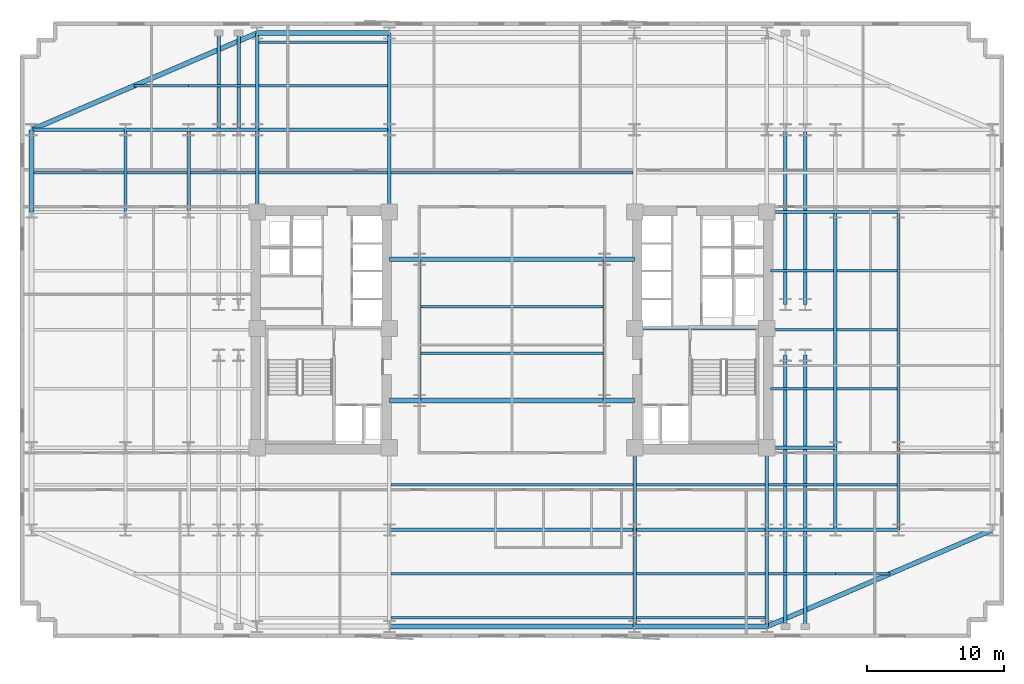
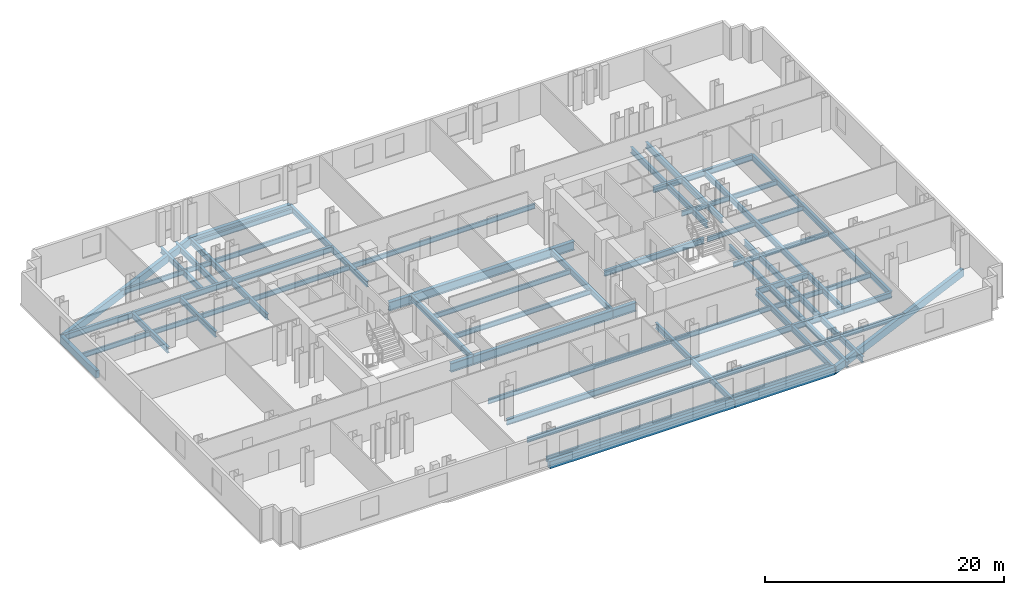
# One storey, part 2 of 10: 75 beams.
"""IFC4 building model written with IfcOpenShell, lengths in metres."""

import ifcopenshell
import ifcopenshell.guid

model = None  # the IFC model being written
_history = None  # IfcOwnerHistory: only IFC2X3 demands one
_inside = {}  # id of a spatial element -> (the spatial element, [elements in it])
_under = {}  # id of a project, library or spatial element -> (it, [spatial elements below it])
_declared = {}  # id of a project -> (the project, [libraries it declares])
_typed = {}  # id of a type object -> (the type object, [elements of that type])
_made_of = {}  # id of a material, layer set ... -> (it, [elements and type objects made of it])


def new_model(schema):
    """Start an empty IFC model of exactly this schema.

    Asked for "IFC4X3", IfcOpenShell would pick the latest addendum, in which some entities
    have other attributes; the version numbers below select the first issue.
    IFC2X3 requires an IfcOwnerHistory on every rooted entity: one is made here for all.
    """
    global model, _history
    if schema == "IFC4X3":
        model = ifcopenshell.file(schema_version=(4, 3, 0, 0))
    else:
        model = ifcopenshell.file(schema=schema)
    _inside.clear()
    _under.clear()
    _declared.clear()
    _typed.clear()
    _made_of.clear()
    _history = None
    if model.schema == "IFC2X3":
        org = make("IfcOrganization", Name="unknown")
        user = make(
            "IfcPersonAndOrganization",
            ThePerson=make("IfcPerson", FamilyName="unknown"),
            TheOrganization=org,
        )
        app = make(
            "IfcApplication",
            ApplicationDeveloper=org,
            Version="unknown",
            ApplicationFullName="unknown",
            ApplicationIdentifier="unknown",
        )
        _history = make(
            "IfcOwnerHistory",
            OwningUser=user,
            OwningApplication=app,
            ChangeAction="ADDED",
            CreationDate=0,
        )
    return model


def make(cls, **values):
    """One entity of the class cls with the attributes given. An attribute that is None is left unset."""
    return model.create_entity(
        cls, **{name: value for name, value in values.items() if value is not None}
    )


def rooted(cls, **values):
    """An entity with a GlobalId (a new one), such as an element, a storey or a relation."""
    return make(cls, GlobalId=ifcopenshell.guid.new(), OwnerHistory=_history, **values)


def si_unit(unit_type, name, prefix=None):
    """IfcSIUnit, for example si_unit("LENGTHUNIT", "METRE", prefix="MILLI")."""
    return make("IfcSIUnit", UnitType=unit_type, Prefix=prefix, Name=name)


def assignment(units):
    """IfcUnitAssignment: the units of a project."""
    return None if units is None else make("IfcUnitAssignment", Units=units)


def point(xyz):
    """IfcCartesianPoint."""
    return None if xyz is None else make("IfcCartesianPoint", Coordinates=xyz)


def direction(xyz):
    """IfcDirection."""
    return None if xyz is None else make("IfcDirection", DirectionRatios=xyz)


def frame(location, z_axis=None, x_axis=None):
    """IfcAxis2Placement3D, a coordinate frame: its origin and axes. An axis left out is left unset."""
    return make(
        "IfcAxis2Placement3D",
        Location=point(location),
        Axis=direction(z_axis),
        RefDirection=direction(x_axis),
    )


def frame_2d(location, x_axis=None):
    """IfcAxis2Placement2D, a coordinate frame in the plane: its origin and x axis."""
    return make(
        "IfcAxis2Placement2D", Location=point(location), RefDirection=direction(x_axis)
    )


def origin():
    """The frame at (0, 0, 0) with its axes left unset."""
    return frame((0.0, 0.0, 0.0))


def origin_2d():
    """The frame at (0, 0) in the plane with its x axis left unset."""
    return frame_2d((0.0, 0.0))


def place(relative_to, where):
    """IfcLocalPlacement: puts the frame where relative to a parent placement (None: the world)."""
    return make(
        "IfcLocalPlacement", PlacementRelTo=relative_to, RelativePlacement=where
    )


def context(
    kind, dimensions, precision=None, world=None, true_north=None, identifier=None
):
    """IfcGeometricRepresentationContext, for example the 3D "Model" context."""
    return make(
        "IfcGeometricRepresentationContext",
        ContextIdentifier=identifier,
        ContextType=kind,
        CoordinateSpaceDimension=dimensions,
        Precision=precision,
        WorldCoordinateSystem=world,
        TrueNorth=true_north,
    )


def subcontext(parent, identifier, kind, view, scale=None):
    """IfcGeometricRepresentationSubContext, for example "Body" below "Model"."""
    return make(
        "IfcGeometricRepresentationSubContext",
        ContextIdentifier=identifier,
        ContextType=kind,
        ParentContext=parent,
        TargetScale=scale,
        TargetView=view,
    )


def project(units=None, contexts=None):
    """IfcProject with its units and contexts."""
    return rooted(
        "IfcProject",
        Name="project",
        RepresentationContexts=contexts,
        UnitsInContext=assignment(units),
    )


def spatial(cls, under=None, at=None, **own):
    """A site, building, storey or space (cls), placed at a placement, below another one or the project."""
    s = rooted(cls, ObjectPlacement=at, **own)
    if under is not None:
        _under.setdefault(under.id(), (under, []))[1].append(s)
    return s


def profile(cls, at=None, kind="AREA", **sizes):
    """A parametric profile (cls). Its sizes go by their IFC names, for example OverallWidth=200.0."""
    return make(cls, ProfileType=kind, Position=at, **sizes)


def rectangle(**sizes):
    """IfcRectangleProfileDef."""
    return profile("IfcRectangleProfileDef", **sizes)


def i_section(**sizes):
    """IfcIShapeProfileDef."""
    return profile("IfcIShapeProfileDef", **sizes)


def extrude(swept, where, along, depth):
    """IfcExtrudedAreaSolid: the profile swept, set in the frame where, extruded along a direction by depth."""
    return make(
        "IfcExtrudedAreaSolid",
        SweptArea=swept,
        Position=where,
        ExtrudedDirection=direction(along),
        Depth=depth,
    )


def shape(context_of_items, identifier, shape_type, items):
    """IfcShapeRepresentation: the items that make up one representation, for example the "Body"."""
    return make(
        "IfcShapeRepresentation",
        ContextOfItems=context_of_items,
        RepresentationIdentifier=identifier,
        RepresentationType=shape_type,
        Items=items,
    )


def material(Name=None, Category=None):
    """IfcMaterial."""
    return make("IfcMaterial", Name=Name, Category=Category)


def material_profile(
    of_material, cross_section, Name=None, Category=None, Priority=None
):
    """IfcMaterialProfile: a cross section and its material."""
    return make(
        "IfcMaterialProfile",
        Name=Name,
        Material=of_material,
        Profile=cross_section,
        Priority=Priority,
        Category=Category,
    )


def profile_set(profiles, Name=None, composite=None):
    """IfcMaterialProfileSet."""
    return make(
        "IfcMaterialProfileSet",
        Name=Name,
        MaterialProfiles=profiles,
        CompositeProfile=composite,
    )


def made_of(thing, what):
    """Note that an element or type object is made of a material, layer set ...; save() writes the relation."""
    if what is not None:
        _made_of.setdefault(what.id(), (what, []))[1].append(thing)
    return thing


def type_object(cls, material=None, **own):
    """A type object (cls), such as IfcWallType, which elements share."""
    return made_of(rooted(cls, **own), material)


def element(
    cls,
    number,
    at=None,
    inside=None,
    cuts=None,
    type_object=None,
    material=None,
    context=None,
    identifier="Body",
    shape_type=None,
    held_by="IfcProductDefinitionShape",
    body=None,
    shapes=None,
    **own,
):
    """One element of the class cls, such as IfcWall. Its Tag is "e" and its number.

    at: its placement. inside: the storey or other place that contains it. cuts: it is an
    opening in that element (IfcRelVoidsElement). A single representation is given by context,
    identifier, shape_type and body (its items); several are given by shapes. held_by: the class
    of the entity that holds the representations. save() writes the other relations.
    """
    e = rooted(cls, Tag="e%d" % number, ObjectPlacement=at, **own)
    if body is not None:
        shapes = [shape(context, identifier, shape_type, body)]
    if shapes is not None:
        e.Representation = make(held_by, Representations=shapes)
    if inside is not None:
        _inside.setdefault(inside.id(), (inside, []))[1].append(e)
    if cuts is not None:
        rooted(
            "IfcRelVoidsElement", RelatingBuildingElement=cuts, RelatedOpeningElement=e
        )
    if type_object is not None:
        _typed.setdefault(type_object.id(), (type_object, []))[1].append(e)
    return made_of(e, material)


def aggregate(whole, parts):
    """IfcRelAggregates: a whole, such as a stair, and the parts it consists of."""
    return rooted("IfcRelAggregates", RelatingObject=whole, RelatedObjects=parts)


def save(model, path):
    """Write the relations noted so far, then the file.

    IfcRelAggregates (storeys below a building ...), IfcRelContainedInSpatialStructure (elements
    in a storey), IfcRelDefinesByType, IfcRelAssociatesMaterial and IfcRelDeclares: one each for
    every whole, place, type object, material and project.
    """
    for whole, parts in _under.values():
        aggregate(whole, parts)
    for where, things in _inside.values():
        rooted(
            "IfcRelContainedInSpatialStructure",
            RelatedElements=things,
            RelatingStructure=where,
        )
    for kind, things in _typed.values():
        rooted("IfcRelDefinesByType", RelatedObjects=things, RelatingType=kind)
    for what, things in _made_of.values():
        rooted("IfcRelAssociatesMaterial", RelatedObjects=things, RelatingMaterial=what)
    for by, libraries in _declared.values():
        rooted("IfcRelDeclares", RelatingContext=by, RelatedDefinitions=libraries)
    model.write(path)


model = new_model("IFC4")

# Units and contexts
model_context = context("Model", 3, precision=1e-05, world=origin(), true_north=direction((0.0, 1.0)))
body_context = subcontext(model_context, "Body", "Model", "MODEL_VIEW")
ifc_project = project(units=[si_unit("LENGTHUNIT", "METRE"), si_unit("AREAUNIT", "SQUARE_METRE"), si_unit("VOLUMEUNIT", "CUBIC_METRE"), si_unit("PLANEANGLEUNIT", "RADIAN"), si_unit("MASSUNIT", "GRAM", prefix="KILO")], contexts=[model_context])

# Site, building, storey
site_placement = place(None, origin())
site = spatial("IfcSite", under=ifc_project, at=site_placement, CompositionType="ELEMENT")
building_placement = place(site_placement, origin())
building = spatial("IfcBuilding", under=site, at=building_placement, Name="Velakula Bourse", CompositionType="ELEMENT")
storey_placement = place(building_placement, frame((0.0, 0.0, 62.25)))
storey = spatial("IfcBuildingStorey", under=building, at=storey_placement, Name="L16", CompositionType="ELEMENT", Elevation=62.25)

# Beams
ifc_material_1 = material(Name="Steel IS 2062 Grade 350 (E350)", Category="steel")
ifc_material_profile_1 = material_profile(ifc_material_1, i_section(OverallWidth=0.25, OverallDepth=0.60009765625, WebThickness=0.01171875, FlangeThickness=0.023681640625, at=origin_2d()), Name="Steel IS 2062 Grade 350 (E350)")
ifc_profile_set_1 = profile_set([ifc_material_profile_1], Name="Steel IS 2062 Grade 350 (E350)")
beam_type_1 = type_object("IfcBeamType", Name="BM-GRD-600H", PredefinedType="BEAM", material=ifc_profile_set_1)
beam_1_placement = place(storey_placement, frame((8.949951171875, 0.10009765625, -0.47998046875), z_axis=(1.0, 0.0, 0.0), x_axis=(0.0, 1.0, 0.0)))
element("IfcBeam", 1, at=beam_1_placement, inside=storey, type_object=beam_type_1, Name="L16 Primary Backbone Girder CRE-M", PredefinedType="BEAM", context=body_context, shape_type="SweptSolid", body=[
    extrude(i_section(OverallWidth=0.25, OverallDepth=0.60009765625, WebThickness=0.01171875, FlangeThickness=0.023681640625, at=origin_2d()), origin(), (0.0, 0.0, 1.0), 9.650146484375),
])
for number, where, z_axis, x_axis, name in (
    (2, (-6.75, -5.14990234375, -0.47998046875), (0.0, 1.0, 0.0), (-1.0, 0.0, 0.0), "L16 Primary Backbone Girder SPN-W"),
    (3, (6.75, -5.14990234375, -0.47998046875), (0.0, 1.0, 0.0), (-1.0, 0.0, 0.0), "L16 Primary Backbone Girder SPN-E"),
):
    element("IfcBeam", number, at=place(storey_placement, frame(where, z_axis=z_axis, x_axis=x_axis)), inside=storey, type_object=beam_type_1, Name=name, PredefinedType="BEAM", context=body_context, shape_type="SweptSolid", body=[
        extrude(i_section(OverallWidth=0.25, OverallDepth=0.60009765625, WebThickness=0.01171875, FlangeThickness=0.023681640625, at=origin_2d()), origin(), (0.0, 0.0, 1.0), 10.2998046875),
    ])
for number, where, z_axis, x_axis, name in (
    (4, (-18.60009765625, 8.60009765625, -0.47998046875), (0.0, 1.0, 0.0), (-1.0, 0.0, 0.0), "L16 Fulcrum Grid Girder FLC-WN"),
    (5, (-8.949951171875, 8.60009765625, -0.47998046875), (0.0, 1.0, 0.0), (-1.0, 0.0, 0.0), "L16 Fulcrum Grid Girder FLC-WCN"),
    (6, (8.949951171875, -14.60009765625, -0.47998046875), (0.0, 1.0, 0.0), (-1.0, 0.0, 0.0), "L16 Fulcrum Grid Girder FLC-ECS"),
    (7, (18.60009765625, -14.60009765625, -0.47998046875), (0.0, 1.0, 0.0), (-1.0, 0.0, 0.0), "L16 Fulcrum Grid Girder FLC-ES"),
):
    element("IfcBeam", number, at=place(storey_placement, frame(where, z_axis=z_axis, x_axis=x_axis)), inside=storey, type_object=beam_type_1, Name=name, PredefinedType="BEAM", context=body_context, shape_type="SweptSolid", body=[
        extrude(i_section(OverallWidth=0.25, OverallDepth=0.60009765625, WebThickness=0.01171875, FlangeThickness=0.023681640625, at=origin_2d()), origin(), (0.0, 0.0, 1.0), 6.0),
    ])
beam_2_placement = place(storey_placement, frame((-8.949951171875, -14.60009765625, -0.47998046875), z_axis=(1.0, 0.0, 0.0), x_axis=(0.0, 1.0, 0.0)))
element("IfcBeam", 8, at=beam_2_placement, inside=storey, type_object=beam_type_1, Name="L16 Fulcrum Grid Girder FLC-S2", PredefinedType="BEAM", context=body_context, shape_type="SweptSolid", body=[
    extrude(i_section(OverallWidth=0.25, OverallDepth=0.60009765625, WebThickness=0.01171875, FlangeThickness=0.023681640625, at=origin_2d()), origin(), (0.0, 0.0, 1.0), 17.89990234375),
])
for number, where, z_axis, x_axis, name in (
    (9, (8.949951171875, -14.60009765625, -0.47998046875), (1.0, 0.0, 0.0), (0.0, 1.0, 0.0), "L16 Fulcrum Grid Girder FLC-S3"),
    (10, (-18.60009765625, 14.60009765625, -0.47998046875), (1.0, 0.0, 0.0), (0.0, 1.0, 0.0), "L16 Fulcrum Grid Girder FLC-N1"),
):
    element("IfcBeam", number, at=place(storey_placement, frame(where, z_axis=z_axis, x_axis=x_axis)), inside=storey, type_object=beam_type_1, Name=name, PredefinedType="BEAM", context=body_context, shape_type="SweptSolid", body=[
        extrude(i_section(OverallWidth=0.25, OverallDepth=0.60009765625, WebThickness=0.01171875, FlangeThickness=0.023681640625, at=origin_2d()), origin(), (0.0, 0.0, 1.0), 9.650146484375),
    ])
for number, where, z_axis, x_axis, name in (
    (11, (19.949951171875, -14.60009765625, -0.47998046875), (0.0, 1.0, 0.0), (-1.0, 0.0, 0.0), "L16 Fulcrum Grid Girder FLC-PSE1"),
    (12, (19.949951171875, 1.85009765625, -0.47998046875), (0.0, 1.0, 0.0), (-1.0, 0.0, 0.0), "L16 Fulcrum Grid Girder FLC-PNE1"),
    (13, (21.39990234375, -14.60009765625, -0.47998046875), (0.0, 1.0, 0.0), (-1.0, 0.0, 0.0), "L16 Fulcrum Grid Girder FLC-PSE2"),
    (14, (21.39990234375, 1.85009765625, -0.47998046875), (0.0, 1.0, 0.0), (-1.0, 0.0, 0.0), "L16 Fulcrum Grid Girder FLC-PNE2"),
):
    element("IfcBeam", number, at=place(storey_placement, frame(where, z_axis=z_axis, x_axis=x_axis)), inside=storey, type_object=beam_type_1, Name=name, PredefinedType="BEAM", context=body_context, shape_type="SweptSolid", body=[
        extrude(i_section(OverallWidth=0.25, OverallDepth=0.60009765625, WebThickness=0.01171875, FlangeThickness=0.023681640625, at=origin_2d()), origin(), (0.0, 0.0, 1.0), 12.75),
    ])
beam_3_placement = place(storey_placement, frame((-23.60009765625, 14.60009765625, -0.47998046875), z_axis=(1.0, 0.0, 0.0), x_axis=(0.0, 1.0, 0.0)))
element("IfcBeam", 15, at=beam_3_placement, inside=storey, type_object=beam_type_1, Name="L16 Fulcrum Grid Girder MWG-WN2", PredefinedType="BEAM", context=body_context, shape_type="SweptSolid", body=[
    extrude(i_section(OverallWidth=0.25, OverallDepth=0.60009765625, WebThickness=0.01171875, FlangeThickness=0.023681640625, at=origin_2d()), origin(), (0.0, 0.0, 1.0), 5.0),
])
beam_4_placement = place(storey_placement, frame((-23.60009765625, 8.60009765625, -0.47998046875), z_axis=(0.0, 1.0, 0.0), x_axis=(-1.0, 0.0, 0.0)))
element("IfcBeam", 16, at=beam_4_placement, inside=storey, type_object=beam_type_1, Name="L16 Fulcrum Grid Girder MWG-WNS3", PredefinedType="BEAM", context=body_context, shape_type="SweptSolid", body=[
    extrude(i_section(OverallWidth=0.25, OverallDepth=0.60009765625, WebThickness=0.01171875, FlangeThickness=0.023681640625, at=origin_2d()), origin(), (0.0, 0.0, 1.0), 6.0),
])
for number, where, z_axis, x_axis, name in (
    (17, (18.60009765625, -14.60009765625, -0.47998046875), (1.0, 0.0, 0.0), (0.0, 1.0, 0.0), "L16 Fulcrum Grid Girder MWG-ES1"),
    (18, (18.60009765625, -8.60009765625, -0.47998046875), (1.0, 0.0, 0.0), (0.0, 1.0, 0.0), "L16 Fulcrum Grid Girder MWG-ES2"),
    (19, (18.60009765625, 8.60009765625, -0.47998046875), (1.0, 0.0, 0.0), (0.0, 1.0, 0.0), "L16 Fulcrum Grid Girder MWG-EN1"),
):
    element("IfcBeam", number, at=place(storey_placement, frame(where, z_axis=z_axis, x_axis=x_axis)), inside=storey, type_object=beam_type_1, Name=name, PredefinedType="BEAM", context=body_context, shape_type="SweptSolid", body=[
        extrude(i_section(OverallWidth=0.25, OverallDepth=0.60009765625, WebThickness=0.01171875, FlangeThickness=0.023681640625, at=origin_2d()), origin(), (0.0, 0.0, 1.0), 5.0),
    ])
beam_5_placement = place(storey_placement, frame((23.60009765625, -14.60009765625, -0.47998046875), z_axis=(0.0, 1.0, 0.0), x_axis=(-1.0, 0.0, 0.0)))
element("IfcBeam", 20, at=beam_5_placement, inside=storey, type_object=beam_type_1, Name="L16 Fulcrum Grid Girder MWG-ENS1", PredefinedType="BEAM", context=body_context, shape_type="SweptSolid", body=[
    extrude(i_section(OverallWidth=0.25, OverallDepth=0.60009765625, WebThickness=0.01171875, FlangeThickness=0.023681640625, at=origin_2d()), origin(), (0.0, 0.0, 1.0), 6.0),
])
beam_6_placement = place(storey_placement, frame((23.60009765625, -8.60009765625, -0.47998046875), z_axis=(0.0, 1.0, 0.0), x_axis=(-1.0, 0.0, 0.0)))
element("IfcBeam", 21, at=beam_6_placement, inside=storey, type_object=beam_type_1, Name="L16 Fulcrum Grid Girder MWG-ENS2", PredefinedType="BEAM", context=body_context, shape_type="SweptSolid", body=[
    extrude(i_section(OverallWidth=0.25, OverallDepth=0.60009765625, WebThickness=0.01171875, FlangeThickness=0.023681640625, at=origin_2d()), origin(), (0.0, 0.0, 1.0), 17.2001953125),
])
beam_7_placement = place(storey_placement, frame((-28.199951171875, 14.60009765625, -0.47998046875), z_axis=(1.0, 0.0, 0.0), x_axis=(0.0, 1.0, 0.0)))
element("IfcBeam", 22, at=beam_7_placement, inside=storey, type_object=beam_type_1, Name="L16 Fulcrum Grid Girder WNG-WN2", PredefinedType="BEAM", context=body_context, shape_type="SweptSolid", body=[
    extrude(i_section(OverallWidth=0.25, OverallDepth=0.60009765625, WebThickness=0.01171875, FlangeThickness=0.023681640625, at=origin_2d()), origin(), (0.0, 0.0, 1.0), 4.599853515625),
])
beam_8_placement = place(storey_placement, frame((-28.199951171875, 8.60009765625, -0.47998046875), z_axis=(0.0, 1.0, 0.0), x_axis=(-1.0, 0.0, 0.0)))
element("IfcBeam", 23, at=beam_8_placement, inside=storey, type_object=beam_type_1, Name="L16 Fulcrum Grid Girder WNG-WNS3", PredefinedType="BEAM", context=body_context, shape_type="SweptSolid", body=[
    extrude(i_section(OverallWidth=0.25, OverallDepth=0.60009765625, WebThickness=0.01171875, FlangeThickness=0.023681640625, at=origin_2d()), origin(), (0.0, 0.0, 1.0), 6.0),
])
for number, where, z_axis, x_axis, name in (
    (24, (23.60009765625, -14.60009765625, -0.47998046875), (1.0, 0.0, 0.0), (0.0, 1.0, 0.0), "L16 Fulcrum Grid Girder WNG-ES1"),
    (25, (23.60009765625, 8.60009765625, -0.47998046875), (1.0, 0.0, 0.0), (0.0, 1.0, 0.0), "L16 Fulcrum Grid Girder WNG-EN1"),
):
    element("IfcBeam", number, at=place(storey_placement, frame(where, z_axis=z_axis, x_axis=x_axis)), inside=storey, type_object=beam_type_1, Name=name, PredefinedType="BEAM", context=body_context, shape_type="SweptSolid", body=[
        extrude(i_section(OverallWidth=0.25, OverallDepth=0.60009765625, WebThickness=0.01171875, FlangeThickness=0.023681640625, at=origin_2d()), origin(), (0.0, 0.0, 1.0), 4.599853515625),
    ])
beam_9_placement = place(storey_placement, frame((28.199951171875, -14.60009765625, -0.47998046875), z_axis=(0.0, 1.0, 0.0), x_axis=(-1.0, 0.0, 0.0)))
element("IfcBeam", 26, at=beam_9_placement, inside=storey, type_object=beam_type_1, Name="L16 Fulcrum Grid Girder WNG-ENS1", PredefinedType="BEAM", context=body_context, shape_type="SweptSolid", body=[
    extrude(i_section(OverallWidth=0.25, OverallDepth=0.60009765625, WebThickness=0.01171875, FlangeThickness=0.023681640625, at=origin_2d()), origin(), (0.0, 0.0, 1.0), 6.0),
])
beam_10_placement = place(storey_placement, frame((28.199951171875, -8.60009765625, -0.47998046875), z_axis=(0.0, 1.0, 0.0), x_axis=(-1.0, 0.0, 0.0)))
element("IfcBeam", 27, at=beam_10_placement, inside=storey, type_object=beam_type_1, Name="L16 Fulcrum Grid Girder WNG-ENS2", PredefinedType="BEAM", context=body_context, shape_type="SweptSolid", body=[
    extrude(i_section(OverallWidth=0.25, OverallDepth=0.60009765625, WebThickness=0.01171875, FlangeThickness=0.023681640625, at=origin_2d()), origin(), (0.0, 0.0, 1.0), 17.2001953125),
])
for number, where, z_axis, x_axis, name in (
    (28, (8.949951171875, -14.60009765625, -0.47998046875), (0.0, -1.0, 0.0), (1.0, 0.0, 0.0), "L16 Perimeter Tie Girder S3"),
    (29, (18.60009765625, -14.60009765625, -0.47998046875), (0.0, -1.0, 0.0), (1.0, 0.0, 0.0), "L16 Perimeter Tie Girder S4"),
    (30, (-18.60009765625, 14.60009765625, -0.47998046875), (0.0, 1.0, 0.0), (-1.0, 0.0, 0.0), "L16 Perimeter Tie Girder N1"),
    (31, (-8.949951171875, 14.60009765625, -0.47998046875), (0.0, 1.0, 0.0), (-1.0, 0.0, 0.0), "L16 Perimeter Tie Girder N2"),
):
    element("IfcBeam", number, at=place(storey_placement, frame(where, z_axis=z_axis, x_axis=x_axis)), inside=storey, type_object=beam_type_1, Name=name, PredefinedType="BEAM", context=body_context, shape_type="SweptSolid", body=[
        extrude(i_section(OverallWidth=0.25, OverallDepth=0.60009765625, WebThickness=0.01171875, FlangeThickness=0.023681640625, at=origin_2d()), origin(), (0.0, 0.0, 1.0), 7.0498046875),
    ])
beam_11_placement = place(storey_placement, frame((-28.199951171875, 14.60009765625, -0.47998046875), z_axis=(-1.0, 0.0, 0.0), x_axis=(0.0, -1.0, 0.0)))
element("IfcBeam", 32, at=beam_11_placement, inside=storey, type_object=beam_type_1, Name="L16 Perimeter Tie Girder W4", PredefinedType="BEAM", context=body_context, shape_type="SweptSolid", body=[
    extrude(i_section(OverallWidth=0.25, OverallDepth=0.60009765625, WebThickness=0.01171875, FlangeThickness=0.023681640625, at=origin_2d()), origin(), (0.0, 0.0, 1.0), 6.85009765625),
])
for number, where, z_axis, x_axis, name in (
    (33, (19.949951171875, -14.60009765625, -0.47998046875), (0.0, -1.0, 0.0), (1.0, 0.0, 0.0), "L16 Perimeter Tie Girder P03"),
    (34, (21.39990234375, -14.60009765625, -0.47998046875), (0.0, -1.0, 0.0), (1.0, 0.0, 0.0), "L16 Perimeter Tie Girder P04"),
    (35, (-21.39990234375, 14.60009765625, -0.47998046875), (0.0, 1.0, 0.0), (-1.0, 0.0, 0.0), "L16 Perimeter Tie Girder P05"),
    (36, (-19.949951171875, 14.60009765625, -0.47998046875), (0.0, 1.0, 0.0), (-1.0, 0.0, 0.0), "L16 Perimeter Tie Girder P06"),
):
    element("IfcBeam", number, at=place(storey_placement, frame(where, z_axis=z_axis, x_axis=x_axis)), inside=storey, type_object=beam_type_1, Name=name, PredefinedType="BEAM", context=body_context, shape_type="SweptSolid", body=[
        extrude(i_section(OverallWidth=0.25, OverallDepth=0.60009765625, WebThickness=0.01171875, FlangeThickness=0.023681640625, at=origin_2d()), origin(), (0.0, 0.0, 1.0), 7.0498046875),
    ])
ifc_material_profile_2 = material_profile(ifc_material_1, i_section(OverallWidth=0.35009765625, OverallDepth=0.89990234375, WebThickness=0.02001953125, FlangeThickness=0.031982421875, at=origin_2d()), Name="Steel IS 2062 Grade 350 (E350)")
ifc_profile_set_2 = profile_set([ifc_material_profile_2], Name="Steel IS 2062 Grade 350 (E350)")
beam_type_2 = type_object("IfcBeamType", Name="BM-LNK-900", PredefinedType="BEAM", material=ifc_profile_set_2)
beam_12_placement = place(storey_placement, frame((-8.949951171875, -5.14990234375, -0.6298828125), z_axis=(1.0, 0.0, 0.0), x_axis=(0.0, 1.0, 0.0)))
element("IfcBeam", 37, at=beam_12_placement, inside=storey, type_object=beam_type_2, Name="L16 Primary Backbone Girder LNK-S1", PredefinedType="BEAM", context=body_context, shape_type="SweptSolid", body=[
    extrude(i_section(OverallWidth=0.35009765625, OverallDepth=0.89990234375, WebThickness=0.02001953125, FlangeThickness=0.031982421875, at=origin_2d()), origin(), (0.0, 0.0, 1.0), 2.199951171875),
])
beam_13_placement = place(storey_placement, frame((-6.75, -5.14990234375, -0.6298828125), z_axis=(1.0, 0.0, 0.0), x_axis=(0.0, 1.0, 0.0)))
element("IfcBeam", 38, at=beam_13_placement, inside=storey, type_object=beam_type_2, Name="L16 Primary Backbone Girder LNK-S2", PredefinedType="BEAM", context=body_context, shape_type="SweptSolid", body=[
    extrude(i_section(OverallWidth=0.35009765625, OverallDepth=0.89990234375, WebThickness=0.02001953125, FlangeThickness=0.031982421875, at=origin_2d()), origin(), (0.0, 0.0, 1.0), 13.5),
])
for number, where, z_axis, x_axis, name in (
    (39, (6.75, -5.14990234375, -0.6298828125), (1.0, 0.0, 0.0), (0.0, 1.0, 0.0), "L16 Primary Backbone Girder LNK-S3"),
    (40, (-8.949951171875, 5.14990234375, -0.6298828125), (1.0, 0.0, 0.0), (0.0, 1.0, 0.0), "L16 Primary Backbone Girder LNK-N1"),
):
    element("IfcBeam", number, at=place(storey_placement, frame(where, z_axis=z_axis, x_axis=x_axis)), inside=storey, type_object=beam_type_2, Name=name, PredefinedType="BEAM", context=body_context, shape_type="SweptSolid", body=[
        extrude(i_section(OverallWidth=0.35009765625, OverallDepth=0.89990234375, WebThickness=0.02001953125, FlangeThickness=0.031982421875, at=origin_2d()), origin(), (0.0, 0.0, 1.0), 2.199951171875),
    ])
beam_14_placement = place(storey_placement, frame((-6.75, 5.14990234375, -0.6298828125), z_axis=(1.0, 0.0, 0.0), x_axis=(0.0, 1.0, 0.0)))
element("IfcBeam", 41, at=beam_14_placement, inside=storey, type_object=beam_type_2, Name="L16 Primary Backbone Girder LNK-N2", PredefinedType="BEAM", context=body_context, shape_type="SweptSolid", body=[
    extrude(i_section(OverallWidth=0.35009765625, OverallDepth=0.89990234375, WebThickness=0.02001953125, FlangeThickness=0.031982421875, at=origin_2d()), origin(), (0.0, 0.0, 1.0), 13.5),
])
beam_15_placement = place(storey_placement, frame((6.75, 5.14990234375, -0.6298828125), z_axis=(1.0, 0.0, 0.0), x_axis=(0.0, 1.0, 0.0)))
element("IfcBeam", 42, at=beam_15_placement, inside=storey, type_object=beam_type_2, Name="L16 Primary Backbone Girder LNK-N3", PredefinedType="BEAM", context=body_context, shape_type="SweptSolid", body=[
    extrude(i_section(OverallWidth=0.35009765625, OverallDepth=0.89990234375, WebThickness=0.02001953125, FlangeThickness=0.031982421875, at=origin_2d()), origin(), (0.0, 0.0, 1.0), 2.199951171875),
])
ifc_material_profile_3 = material_profile(ifc_material_1, i_section(OverallWidth=0.179931640625, OverallDepth=0.5, WebThickness=0.01025390625, FlangeThickness=0.01708984375, at=origin_2d()), Name="Steel IS 2062 Grade 350 (E350)")
ifc_profile_set_3 = profile_set([ifc_material_profile_3], Name="Steel IS 2062 Grade 350 (E350)")
beam_type_3 = type_object("IfcBeamType", Name="JST-TWR-500", PredefinedType="JOIST", material=ifc_profile_set_3)
beam_16_placement = place(storey_placement, frame((-8.824951171875, -21.0, -0.429931640625), z_axis=(1.0, 0.0, 0.0), x_axis=(0.0, 1.0, 0.0)))
element("IfcBeam", 43, at=beam_16_placement, inside=storey, type_object=beam_type_3, Name="L16 Trading Floor Composite Joist 02", PredefinedType="JOIST", context=body_context, shape_type="SweptSolid", body=[
    extrude(i_section(OverallWidth=0.179931640625, OverallDepth=0.5, WebThickness=0.01025390625, FlangeThickness=0.01708984375, at=origin_2d()), origin(), (0.0, 0.0, 1.0), 17.64990234375),
])
beam_17_placement = place(storey_placement, frame((9.074951171875, -21.0, -0.429931640625), z_axis=(1.0, 0.0, 0.0), x_axis=(0.0, 1.0, 0.0)))
element("IfcBeam", 44, at=beam_17_placement, inside=storey, type_object=beam_type_3, Name="L16 Trading Floor Composite Joist 03", PredefinedType="JOIST", context=body_context, shape_type="SweptSolid", body=[
    extrude(i_section(OverallWidth=0.179931640625, OverallDepth=0.5, WebThickness=0.01025390625, FlangeThickness=0.01708984375, at=origin_2d()), origin(), (0.0, 0.0, 1.0), 9.400146484375),
])
beam_18_placement = place(storey_placement, frame((-8.824951171875, -17.800048828125, -0.429931640625), z_axis=(1.0, 0.0, 0.0), x_axis=(0.0, 1.0, 0.0)))
element("IfcBeam", 45, at=beam_18_placement, inside=storey, type_object=beam_type_3, Name="L16 Trading Floor Composite Joist 07", PredefinedType="JOIST", context=body_context, shape_type="SweptSolid", body=[
    extrude(i_section(OverallWidth=0.179931640625, OverallDepth=0.5, WebThickness=0.01025390625, FlangeThickness=0.01708984375, at=origin_2d()), origin(), (0.0, 0.0, 1.0), 17.64990234375),
])
beam_19_placement = place(storey_placement, frame((9.074951171875, -17.800048828125, -0.429931640625), z_axis=(1.0, 0.0, 0.0), x_axis=(0.0, 1.0, 0.0)))
element("IfcBeam", 46, at=beam_19_placement, inside=storey, type_object=beam_type_3, Name="L16 Trading Floor Composite Joist 08", PredefinedType="JOIST", context=body_context, shape_type="SweptSolid", body=[
    extrude(i_section(OverallWidth=0.179931640625, OverallDepth=0.5, WebThickness=0.01025390625, FlangeThickness=0.01708984375, at=origin_2d()), origin(), (0.0, 0.0, 1.0), 9.400146484375),
])
beam_20_placement = place(storey_placement, frame((18.72509765625, -17.800048828125, -0.429931640625), z_axis=(1.0, 0.0, 0.0), x_axis=(0.0, 1.0, 0.0)))
element("IfcBeam", 47, at=beam_20_placement, inside=storey, type_object=beam_type_3, Name="L16 Trading Floor Composite Joist 09", PredefinedType="JOIST", context=body_context, shape_type="SweptSolid", body=[
    extrude(i_section(OverallWidth=0.179931640625, OverallDepth=0.5, WebThickness=0.01025390625, FlangeThickness=0.01708984375, at=origin_2d()), origin(), (0.0, 0.0, 1.0), 4.875),
])
beam_21_placement = place(storey_placement, frame((23.60009765625, -17.800048828125, -0.429931640625), z_axis=(1.0, 0.0, 0.0), x_axis=(0.0, 1.0, 0.0)))
element("IfcBeam", 48, at=beam_21_placement, inside=storey, type_object=beam_type_3, Name="L16 Trading Floor Composite Joist 10", PredefinedType="JOIST", context=body_context, shape_type="SweptSolid", body=[
    extrude(i_section(OverallWidth=0.179931640625, OverallDepth=0.5, WebThickness=0.01025390625, FlangeThickness=0.01708984375, at=origin_2d()), origin(), (0.0, 0.0, 1.0), 3.983154296875),
])
beam_22_placement = place(storey_placement, frame((-8.824951171875, -11.300048828125, -0.429931640625), z_axis=(1.0, 0.0, 0.0), x_axis=(0.0, 1.0, 0.0)))
element("IfcBeam", 49, at=beam_22_placement, inside=storey, type_object=beam_type_3, Name="L16 Trading Floor Composite Joist 15", PredefinedType="JOIST", context=body_context, shape_type="SweptSolid", body=[
    extrude(i_section(OverallWidth=0.179931640625, OverallDepth=0.5, WebThickness=0.01025390625, FlangeThickness=0.01708984375, at=origin_2d()), origin(), (0.0, 0.0, 1.0), 17.64990234375),
])
beam_23_placement = place(storey_placement, frame((9.074951171875, -11.300048828125, -0.429931640625), z_axis=(1.0, 0.0, 0.0), x_axis=(0.0, 1.0, 0.0)))
element("IfcBeam", 50, at=beam_23_placement, inside=storey, type_object=beam_type_3, Name="L16 Trading Floor Composite Joist 16", PredefinedType="JOIST", context=body_context, shape_type="SweptSolid", body=[
    extrude(i_section(OverallWidth=0.179931640625, OverallDepth=0.5, WebThickness=0.01025390625, FlangeThickness=0.01708984375, at=origin_2d()), origin(), (0.0, 0.0, 1.0), 9.400146484375),
])
beam_24_placement = place(storey_placement, frame((18.72509765625, -11.300048828125, -0.429931640625), z_axis=(1.0, 0.0, 0.0), x_axis=(0.0, 1.0, 0.0)))
element("IfcBeam", 51, at=beam_24_placement, inside=storey, type_object=beam_type_3, Name="L16 Trading Floor Composite Joist 17", PredefinedType="JOIST", context=body_context, shape_type="SweptSolid", body=[
    extrude(i_section(OverallWidth=0.179931640625, OverallDepth=0.5, WebThickness=0.01025390625, FlangeThickness=0.01708984375, at=origin_2d()), origin(), (0.0, 0.0, 1.0), 4.75),
])
beam_25_placement = place(storey_placement, frame((23.72509765625, -11.300048828125, -0.429931640625), z_axis=(1.0, 0.0, 0.0), x_axis=(0.0, 1.0, 0.0)))
element("IfcBeam", 52, at=beam_25_placement, inside=storey, type_object=beam_type_3, Name="L16 Trading Floor Composite Joist 18", PredefinedType="JOIST", context=body_context, shape_type="SweptSolid", body=[
    extrude(i_section(OverallWidth=0.179931640625, OverallDepth=0.5, WebThickness=0.01025390625, FlangeThickness=0.01708984375, at=origin_2d()), origin(), (0.0, 0.0, 1.0), 4.349853515625),
])
beam_26_placement = place(storey_placement, frame((-34.875, 11.449951171875, -0.429931640625), z_axis=(1.0, 0.0, 0.0), x_axis=(0.0, 1.0, 0.0)))
element("IfcBeam", 53, at=beam_26_placement, inside=storey, type_object=beam_type_3, Name="L16 Trading Floor Composite Joist 20", PredefinedType="JOIST", context=body_context, shape_type="SweptSolid", body=[
    extrude(i_section(OverallWidth=0.179931640625, OverallDepth=0.5, WebThickness=0.01025390625, FlangeThickness=0.01708984375, at=origin_2d()), origin(), (0.0, 0.0, 1.0), 6.550048828125),
])
beam_27_placement = place(storey_placement, frame((-28.074951171875, 11.449951171875, -0.429931640625), z_axis=(1.0, 0.0, 0.0), x_axis=(0.0, 1.0, 0.0)))
element("IfcBeam", 54, at=beam_27_placement, inside=storey, type_object=beam_type_3, Name="L16 Trading Floor Composite Joist 21", PredefinedType="JOIST", context=body_context, shape_type="SweptSolid", body=[
    extrude(i_section(OverallWidth=0.179931640625, OverallDepth=0.5, WebThickness=0.01025390625, FlangeThickness=0.01708984375, at=origin_2d()), origin(), (0.0, 0.0, 1.0), 4.349853515625),
])
beam_28_placement = place(storey_placement, frame((-23.47509765625, 11.449951171875, -0.429931640625), z_axis=(1.0, 0.0, 0.0), x_axis=(0.0, 1.0, 0.0)))
element("IfcBeam", 55, at=beam_28_placement, inside=storey, type_object=beam_type_3, Name="L16 Trading Floor Composite Joist 22", PredefinedType="JOIST", context=body_context, shape_type="SweptSolid", body=[
    extrude(i_section(OverallWidth=0.179931640625, OverallDepth=0.5, WebThickness=0.01025390625, FlangeThickness=0.01708984375, at=origin_2d()), origin(), (0.0, 0.0, 1.0), 4.75),
])
beam_29_placement = place(storey_placement, frame((-18.47509765625, 11.449951171875, -0.429931640625), z_axis=(1.0, 0.0, 0.0), x_axis=(0.0, 1.0, 0.0)))
element("IfcBeam", 56, at=beam_29_placement, inside=storey, type_object=beam_type_3, Name="L16 Trading Floor Composite Joist 23", PredefinedType="JOIST", context=body_context, shape_type="SweptSolid", body=[
    extrude(i_section(OverallWidth=0.179931640625, OverallDepth=0.5, WebThickness=0.01025390625, FlangeThickness=0.01708984375, at=origin_2d()), origin(), (0.0, 0.0, 1.0), 9.400146484375),
])
beam_30_placement = place(storey_placement, frame((-8.824951171875, 11.449951171875, -0.429931640625), z_axis=(1.0, 0.0, 0.0), x_axis=(0.0, 1.0, 0.0)))
element("IfcBeam", 57, at=beam_30_placement, inside=storey, type_object=beam_type_3, Name="L16 Trading Floor Composite Joist 24", PredefinedType="JOIST", context=body_context, shape_type="SweptSolid", body=[
    extrude(i_section(OverallWidth=0.179931640625, OverallDepth=0.5, WebThickness=0.01025390625, FlangeThickness=0.01708984375, at=origin_2d()), origin(), (0.0, 0.0, 1.0), 17.64990234375),
])
beam_31_placement = place(storey_placement, frame((-27.583251953125, 17.800048828125, -0.429931640625), z_axis=(1.0, 0.0, 0.0), x_axis=(0.0, 1.0, 0.0)))
element("IfcBeam", 58, at=beam_31_placement, inside=storey, type_object=beam_type_3, Name="L16 Trading Floor Composite Joist 29", PredefinedType="JOIST", context=body_context, shape_type="SweptSolid", body=[
    extrude(i_section(OverallWidth=0.179931640625, OverallDepth=0.5, WebThickness=0.01025390625, FlangeThickness=0.01708984375, at=origin_2d()), origin(), (0.0, 0.0, 1.0), 3.983154296875),
])
beam_32_placement = place(storey_placement, frame((-23.60009765625, 17.800048828125, -0.429931640625), z_axis=(1.0, 0.0, 0.0), x_axis=(0.0, 1.0, 0.0)))
element("IfcBeam", 59, at=beam_32_placement, inside=storey, type_object=beam_type_3, Name="L16 Trading Floor Composite Joist 30", PredefinedType="JOIST", context=body_context, shape_type="SweptSolid", body=[
    extrude(i_section(OverallWidth=0.179931640625, OverallDepth=0.5, WebThickness=0.01025390625, FlangeThickness=0.01708984375, at=origin_2d()), origin(), (0.0, 0.0, 1.0), 4.875),
])
for number, where, z_axis, x_axis, name in (
    (60, (-18.47509765625, 17.800048828125, -0.429931640625), (1.0, 0.0, 0.0), (0.0, 1.0, 0.0), "L16 Trading Floor Composite Joist 31"),
    (61, (-18.47509765625, 21.0, -0.429931640625), (1.0, 0.0, 0.0), (0.0, 1.0, 0.0), "L16 Trading Floor Composite Joist 36"),
):
    element("IfcBeam", number, at=place(storey_placement, frame(where, z_axis=z_axis, x_axis=x_axis)), inside=storey, type_object=beam_type_3, Name=name, PredefinedType="JOIST", context=body_context, shape_type="SweptSolid", body=[
        extrude(i_section(OverallWidth=0.179931640625, OverallDepth=0.5, WebThickness=0.01025390625, FlangeThickness=0.01708984375, at=origin_2d()), origin(), (0.0, 0.0, 1.0), 9.400146484375),
    ])
for number, where, z_axis, x_axis, name in (
    (62, (-6.625, -1.699951171875, -0.429931640625), (1.0, 0.0, 0.0), (0.0, 1.0, 0.0), "L16 Trading Floor Composite Joist 39"),
    (63, (-6.625, 1.699951171875, -0.429931640625), (1.0, 0.0, 0.0), (0.0, 1.0, 0.0), "L16 Trading Floor Composite Joist 40"),
):
    element("IfcBeam", number, at=place(storey_placement, frame(where, z_axis=z_axis, x_axis=x_axis)), inside=storey, type_object=beam_type_3, Name=name, PredefinedType="JOIST", context=body_context, shape_type="SweptSolid", body=[
        extrude(i_section(OverallWidth=0.179931640625, OverallDepth=0.5, WebThickness=0.01025390625, FlangeThickness=0.01708984375, at=origin_2d()), origin(), (0.0, 0.0, 1.0), 13.25),
    ])
beam_33_placement = place(storey_placement, frame((18.85009765625, -4.300048828125, -0.429931640625), z_axis=(1.0, 0.0, 0.0), x_axis=(0.0, 1.0, 0.0)))
element("IfcBeam", 64, at=beam_33_placement, inside=storey, type_object=beam_type_3, Name="L16 Trading Floor Composite Joist 44", PredefinedType="JOIST", context=body_context, shape_type="SweptSolid", body=[
    extrude(i_section(OverallWidth=0.179931640625, OverallDepth=0.5, WebThickness=0.01025390625, FlangeThickness=0.01708984375, at=origin_2d()), origin(), (0.0, 0.0, 1.0), 4.625),
])
beam_34_placement = place(storey_placement, frame((23.72509765625, -4.300048828125, -0.429931640625), z_axis=(1.0, 0.0, 0.0), x_axis=(0.0, 1.0, 0.0)))
element("IfcBeam", 65, at=beam_34_placement, inside=storey, type_object=beam_type_3, Name="L16 Trading Floor Composite Joist 45", PredefinedType="JOIST", context=body_context, shape_type="SweptSolid", body=[
    extrude(i_section(OverallWidth=0.179931640625, OverallDepth=0.5, WebThickness=0.01025390625, FlangeThickness=0.01708984375, at=origin_2d()), origin(), (0.0, 0.0, 1.0), 4.349853515625),
])
beam_35_placement = place(storey_placement, frame((18.85009765625, 0.0, -0.429931640625), z_axis=(1.0, 0.0, 0.0), x_axis=(0.0, 1.0, 0.0)))
element("IfcBeam", 66, at=beam_35_placement, inside=storey, type_object=beam_type_3, Name="L16 Trading Floor Composite Joist 50", PredefinedType="JOIST", context=body_context, shape_type="SweptSolid", body=[
    extrude(i_section(OverallWidth=0.179931640625, OverallDepth=0.5, WebThickness=0.01025390625, FlangeThickness=0.01708984375, at=origin_2d()), origin(), (0.0, 0.0, 1.0), 4.625),
])
beam_36_placement = place(storey_placement, frame((23.72509765625, 0.0, -0.429931640625), z_axis=(1.0, 0.0, 0.0), x_axis=(0.0, 1.0, 0.0)))
element("IfcBeam", 67, at=beam_36_placement, inside=storey, type_object=beam_type_3, Name="L16 Trading Floor Composite Joist 51", PredefinedType="JOIST", context=body_context, shape_type="SweptSolid", body=[
    extrude(i_section(OverallWidth=0.179931640625, OverallDepth=0.5, WebThickness=0.01025390625, FlangeThickness=0.01708984375, at=origin_2d()), origin(), (0.0, 0.0, 1.0), 4.349853515625),
])
beam_37_placement = place(storey_placement, frame((18.85009765625, 4.300048828125, -0.429931640625), z_axis=(1.0, 0.0, 0.0), x_axis=(0.0, 1.0, 0.0)))
element("IfcBeam", 68, at=beam_37_placement, inside=storey, type_object=beam_type_3, Name="L16 Trading Floor Composite Joist 56", PredefinedType="JOIST", context=body_context, shape_type="SweptSolid", body=[
    extrude(i_section(OverallWidth=0.179931640625, OverallDepth=0.5, WebThickness=0.01025390625, FlangeThickness=0.01708984375, at=origin_2d()), origin(), (0.0, 0.0, 1.0), 4.625),
])
beam_38_placement = place(storey_placement, frame((23.72509765625, 4.300048828125, -0.429931640625), z_axis=(1.0, 0.0, 0.0), x_axis=(0.0, 1.0, 0.0)))
element("IfcBeam", 69, at=beam_38_placement, inside=storey, type_object=beam_type_3, Name="L16 Trading Floor Composite Joist 57", PredefinedType="JOIST", context=body_context, shape_type="SweptSolid", body=[
    extrude(i_section(OverallWidth=0.179931640625, OverallDepth=0.5, WebThickness=0.01025390625, FlangeThickness=0.01708984375, at=origin_2d()), origin(), (0.0, 0.0, 1.0), 4.349853515625),
])
ifc_material_2 = material(Name="Precast concrete M45 (fck 45 MPa)", Category="concrete")
ifc_material_profile_4 = material_profile(ifc_material_2, rectangle(XDim=0.35009765625, YDim=0.75, at=origin_2d()), Name="Precast concrete M45 (fck 45 MPa)")
ifc_profile_set_4 = profile_set([ifc_material_profile_4], Name="Precast concrete M45 (fck 45 MPa)")
beam_type_4 = type_object("IfcBeamType", Name="SPN-BRICK-750", PredefinedType="SPANDREL", material=ifc_profile_set_4)
beam_39_placement = place(storey_placement, frame((-8.949951171875, -21.64990234375, -0.554931640625), z_axis=(1.0, 0.0, 0.0), x_axis=(0.0, 1.0, 0.0)))
element("IfcBeam", 70, at=beam_39_placement, inside=storey, type_object=beam_type_4, Name="L16 Brick-Faced Precast Spandrel S2-S3", PredefinedType="SPANDREL", context=body_context, shape_type="SweptSolid", body=[
    extrude(rectangle(XDim=0.35009765625, YDim=0.75, at=origin_2d()), origin(), (0.0, 0.0, 1.0), 17.89990234375),
])
for number, where, z_axis, x_axis, name in (
    (71, (8.949951171875, -21.64990234375, -0.554931640625), (1.0, 0.0, 0.0), (0.0, 1.0, 0.0), "L16 Brick-Faced Precast Spandrel S3-S4"),
    (72, (-18.60009765625, 21.64990234375, -0.554931640625), (1.0, 0.0, 0.0), (0.0, 1.0, 0.0), "L16 Brick-Faced Precast Spandrel N1-N2"),
):
    element("IfcBeam", number, at=place(storey_placement, frame(where, z_axis=z_axis, x_axis=x_axis)), inside=storey, type_object=beam_type_4, Name=name, PredefinedType="SPANDREL", context=body_context, shape_type="SweptSolid", body=[
        extrude(rectangle(XDim=0.35009765625, YDim=0.75, at=origin_2d()), origin(), (0.0, 0.0, 1.0), 9.650146484375),
    ])
beam_40_placement = place(storey_placement, frame((-35.050048828125, 8.60009765625, -0.554931640625), z_axis=(0.0, 1.0, 0.0), x_axis=(-1.0, 0.0, 0.0)))
element("IfcBeam", 73, at=beam_40_placement, inside=storey, type_object=beam_type_4, Name="L16 Brick-Faced Precast Spandrel W3-W4", PredefinedType="SPANDREL", context=body_context, shape_type="SweptSolid", body=[
    extrude(rectangle(XDim=0.35009765625, YDim=0.75, at=origin_2d()), origin(), (0.0, 0.0, 1.0), 6.0),
])
for number, where, z_axis, x_axis, name in (
    (74, (18.60009765625, -21.64990234375, -0.554931640625), (0.919148557947, 0.393911066642, 0.0), (-0.393911066642, 0.919148557947, 0.0), "L16 Brick-Faced Precast Spandrel S4-E1"),
    (75, (-18.60009765625, 21.64990234375, -0.554931640625), (-0.919148557947, -0.393911066642, 0.0), (0.393911066642, -0.919148557947, 0.0), "L16 Brick-Faced Precast Spandrel N1-W4"),
):
    element("IfcBeam", number, at=place(storey_placement, frame(where, z_axis=z_axis, x_axis=x_axis)), inside=storey, type_object=beam_type_4, Name=name, PredefinedType="SPANDREL", context=body_context, shape_type="SweptSolid", body=[
        extrude(rectangle(XDim=0.35009765625, YDim=0.75, at=origin_2d()), origin(), (0.0, 0.0, 1.0), 17.89697265625),
    ])

save(model, "model.ifc")
